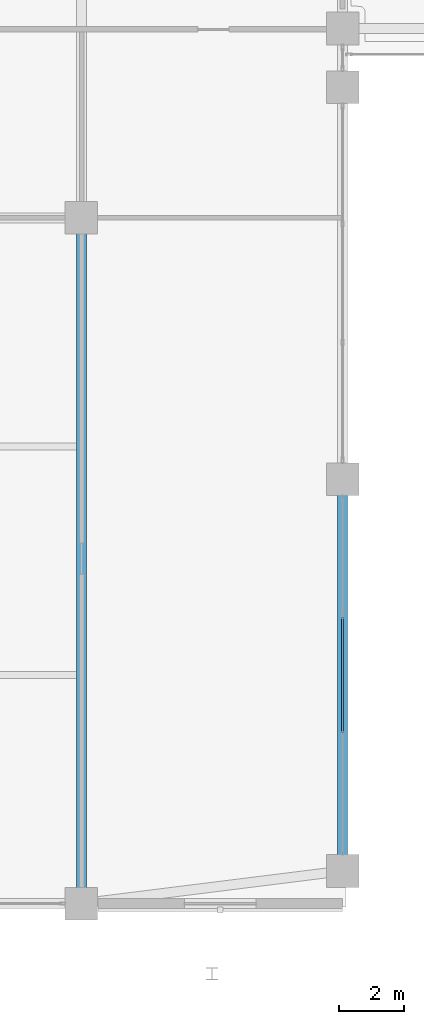
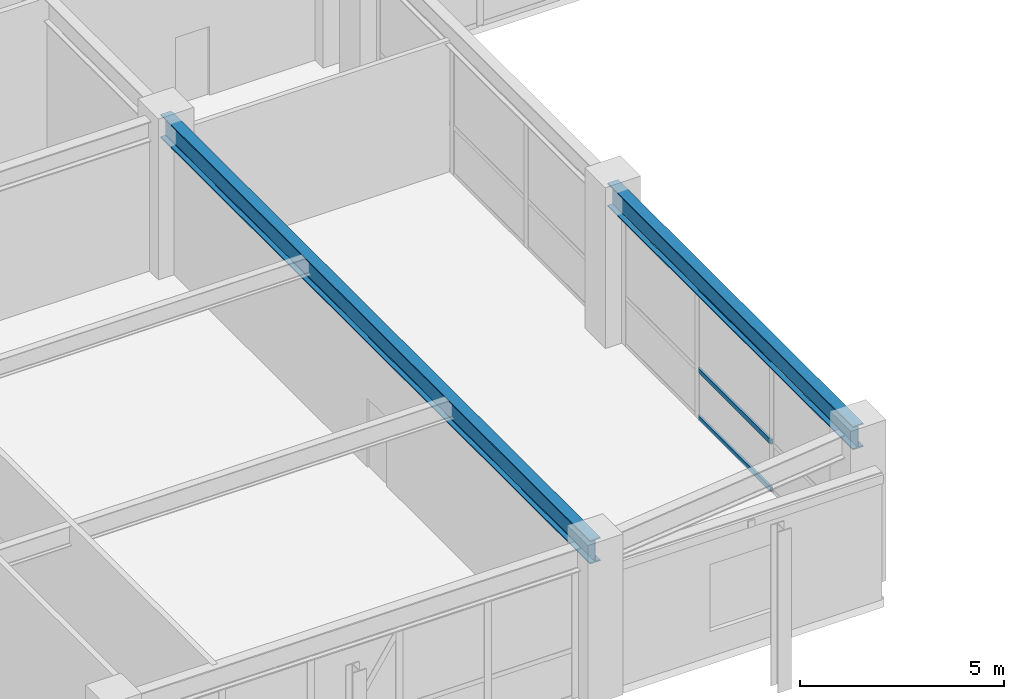
# One storey, part 12 of 48: 3 members, 2 beams, 1 element without a shape of its own.
"""IFC4 building model written with IfcOpenShell, lengths in metres."""

from ifc_helpers import new_model, si_unit, derived_unit, direction, frame, origin, origin_2d, place, context, subcontext, project, spatial, hollow_rectangle, i_section, extrude, source, transform, mapped, material, layer, layer_set, material_profile, profile_set, type_object, element, aggregate, save


model = new_model("IFC4")

# Units and contexts
model_context = context("Model", 3, precision=1e-05, world=origin(), true_north=direction((0.0, 1.0)))
body_context = subcontext(model_context, "Body", "Model", "MODEL_VIEW")
ifc_project = project(units=[si_unit("LENGTHUNIT", "METRE"), si_unit("AREAUNIT", "SQUARE_METRE"), si_unit("VOLUMEUNIT", "CUBIC_METRE"), si_unit("PLANEANGLEUNIT", "RADIAN"), si_unit("MASSUNIT", "GRAM", prefix="KILO"), derived_unit("THERMALTRANSMITTANCEUNIT", [(si_unit("POWERUNIT", "WATT"), 1), (si_unit("LENGTHUNIT", "METRE"), -2), (si_unit("THERMODYNAMICTEMPERATUREUNIT", "KELVIN"), -1)])], contexts=[model_context])

# Site, building, storey
site_placement = place(None, origin())
site = spatial("IfcSite", under=ifc_project, at=site_placement, CompositionType="ELEMENT")
building_placement = place(site_placement, origin())
building = spatial("IfcBuilding", under=site, at=building_placement, Name="Korsvarv Bourse and Concert Hall", CompositionType="ELEMENT")
storey_placement = place(building_placement, frame((0.0, 0.0, 4.800048828125)))
storey = spatial("IfcBuildingStorey", under=building, at=storey_placement, Name="L01", CompositionType="ELEMENT", Elevation=4.800048828125)

# Beams
ifc_material_1 = material(Name="Steel S355", Category="steel")
ifc_material_profile_1 = material_profile(ifc_material_1, i_section(OverallWidth=0.300048828125, OverallDepth=0.699951171875, WebThickness=0.01708984375, FlangeThickness=0.031982421875, FilletRadius=0.027099609375, at=origin_2d()), Name="HEB 700")
ifc_profile_set_1 = profile_set([ifc_material_profile_1], Name="Steel S355")
beam_type = type_object("IfcBeamType", Name="BM-HEB700", PredefinedType="BEAM", material=ifc_profile_set_1)
shared_shape_1 = source(origin(), body_context, "Body", "SweptSolid", [
    extrude(i_section(OverallWidth=0.300048828125, OverallDepth=0.699951171875, WebThickness=0.01708984375, FlangeThickness=0.031982421875, FilletRadius=0.027099609375, at=origin_2d()), origin(), (0.0, 0.0, 1.0), 12.0),
])
beam_1_placement = place(storey_placement, frame((66.0, 4.0, 4.169921875), z_axis=(0.0, 1.0, 0.0), x_axis=(-1.0, 0.0, 0.0)))
element("IfcBeam", 1, at=beam_1_placement, inside=storey, type_object=beam_type, Name="L01 beam B-03", PredefinedType="BEAM", context=body_context, shape_type="MappedRepresentation", body=[
    mapped(shared_shape_1, transform((0.0, 0.0, 0.0), scale=1.0)),
])
shared_shape_2 = source(origin(), body_context, "Body", "SweptSolid", [
    extrude(i_section(OverallWidth=0.300048828125, OverallDepth=0.699951171875, WebThickness=0.01708984375, FlangeThickness=0.031982421875, FilletRadius=0.027099609375, at=origin_2d()), origin(), (0.0, 0.0, 1.0), 21.0),
])
beam_2_placement = place(storey_placement, frame((58.0, 3.0, 4.169921875), z_axis=(0.0, 1.0, 0.0), x_axis=(-1.0, 0.0, 0.0)))
element("IfcBeam", 2, at=beam_2_placement, inside=storey, type_object=beam_type, Name="L01 beam B-03", PredefinedType="BEAM", context=body_context, shape_type="MappedRepresentation", body=[
    mapped(shared_shape_2, transform((0.0, 0.0, 0.0), scale=1.0)),
])

# Curtain wall, members
ifc_material_2 = material(Name="Anodised aluminium and triple low-E glazing", Category="glass")
ifc_layer = layer(ifc_material_2, 0.239990234375)
ifc_layer_set = layer_set([ifc_layer], Name="Anodised aluminium and triple low-E glazing")
curtain_wall_type = type_object("IfcCurtainWallType", Name="CW-SYS-5", PredefinedType="NOTDEFINED", material=ifc_layer_set)
curtain_wall_placement = place(storey_placement, origin())
curtain_wall = element("IfcCurtainWall", 3, at=curtain_wall_placement, inside=storey, type_object=curtain_wall_type, Name="L01 CW5 curtain wall CW-L01-E1", PredefinedType="NOTDEFINED")
ifc_material_3 = material(Name="Extruded aluminium EN AW-6063 T66", Category="aluminium")
ifc_material_profile_2 = material_profile(ifc_material_3, hollow_rectangle(XDim=0.06494140625, YDim=0.139892578125, WallThickness=0.00390625, at=origin_2d()), Name="ALU-T 65x140")
ifc_profile_set_2 = profile_set([ifc_material_profile_2], Name="Extruded aluminium EN AW-6063 T66")
member_type = type_object("IfcMemberType", Name="CWT-140", PredefinedType="USERDEFINED", material=ifc_profile_set_2)
shared_shape_3 = source(origin(), body_context, "Body", "SweptSolid", [
    extrude(hollow_rectangle(XDim=0.06494140625, YDim=0.139892578125, WallThickness=0.00390625, at=origin_2d()), origin(), (0.0, 0.0, 1.0), 3.5634765625),
])
member_1_placement = place(storey_placement, frame((66.0, 8.21826171875, 0.032470703125), z_axis=(0.0, 1.0, 0.0), x_axis=(-1.0, 0.0, 0.0)))
member_1 = element("IfcMember", 4, at=member_1_placement, type_object=member_type, Name="CW5 transom 2.1", ObjectType="TRANSOM", PredefinedType="USERDEFINED", context=body_context, shape_type="MappedRepresentation", body=[
    mapped(shared_shape_3, transform((0.0, 0.0, 0.0), scale=1.0)),
])
member_2_placement = place(storey_placement, frame((66.0, 8.21826171875, 1.45166015625), z_axis=(0.0, 1.0, 0.0), x_axis=(-1.0, 0.0, 0.0)))
member_2 = element("IfcMember", 5, at=member_2_placement, type_object=member_type, Name="CW5 transom 2.2", ObjectType="TRANSOM", PredefinedType="USERDEFINED", context=body_context, shape_type="MappedRepresentation", body=[
    mapped(shared_shape_3, transform((0.0, 0.0, 0.0), scale=1.0)),
])
member_3_placement = place(storey_placement, frame((66.0, 8.21826171875, 3.787353515625), z_axis=(0.0, 1.0, 0.0), x_axis=(-1.0, 0.0, 0.0)))
member_3 = element("IfcMember", 6, at=member_3_placement, type_object=member_type, Name="CW5 transom 2.3", ObjectType="TRANSOM", PredefinedType="USERDEFINED", context=body_context, shape_type="MappedRepresentation", body=[
    mapped(shared_shape_3, transform((0.0, 0.0, 0.0), scale=1.0)),
])
aggregate(curtain_wall, [member_1, member_2, member_3])

save(model, "model.ifc")
